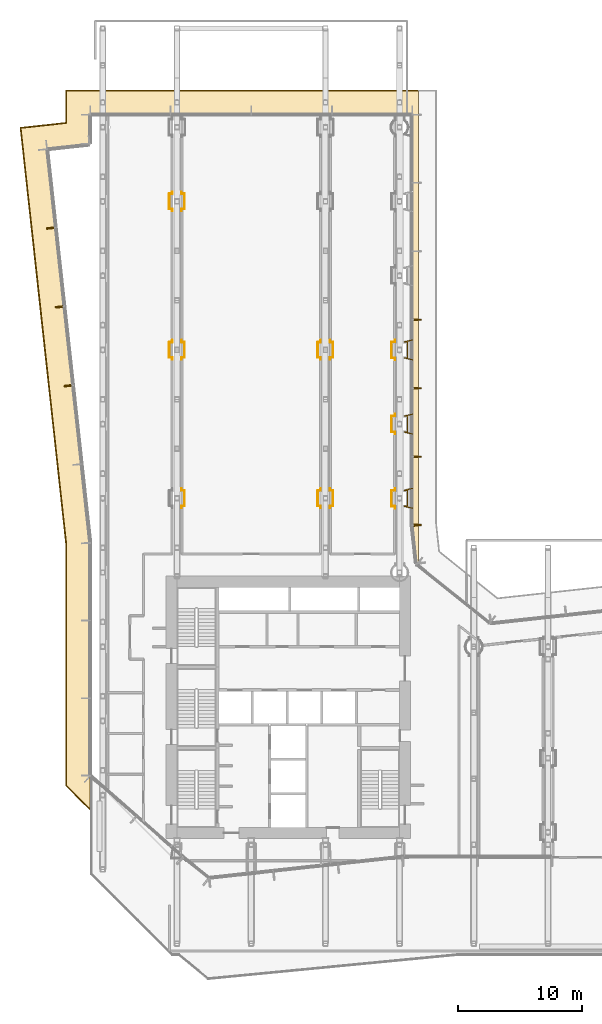
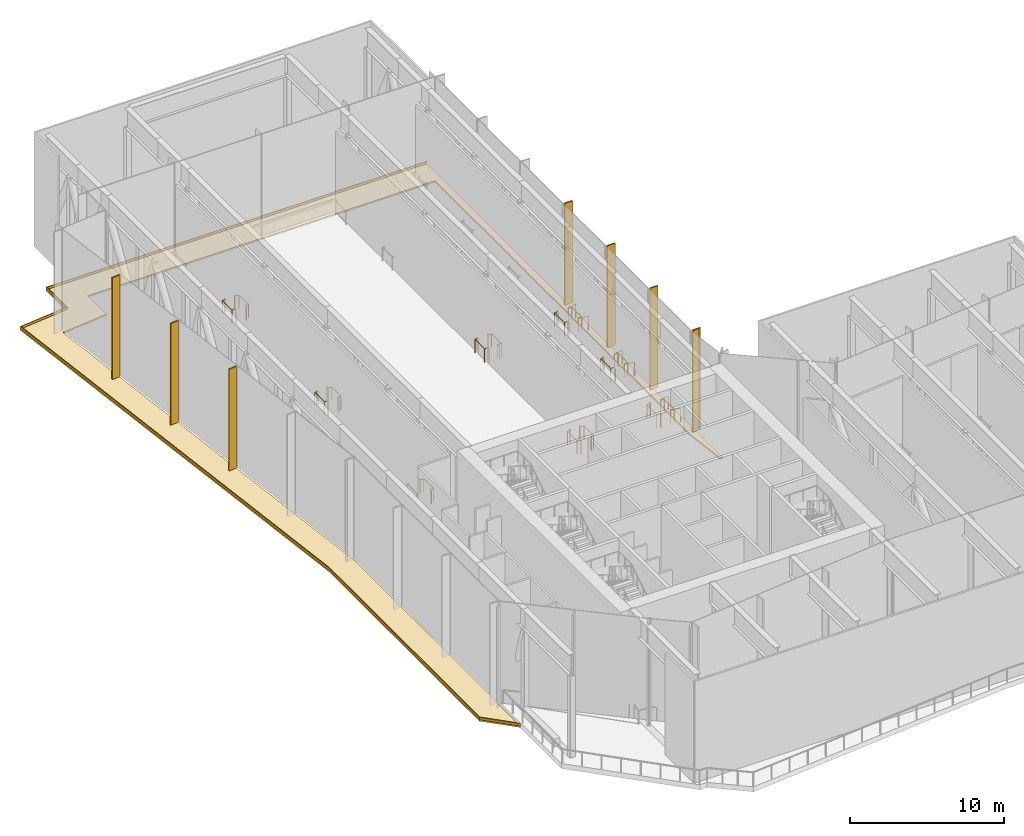
# One storey, part 23 of 25: 15 railings, 10 coverings.
"""IFC4 building model written with IfcOpenShell, lengths in metres."""

from ifc_helpers import new_model, si_unit, direction, frame, origin, origin_2d, place, context, subcontext, project, spatial, polyline, rectangle, circle, outline, extrude, material, layer, layer_set, type_object, element, save


model = new_model("IFC4")

# Units and contexts
model_context = context("Model", 3, precision=1e-05, world=origin(), true_north=direction((0.0, 1.0)))
body_context = subcontext(model_context, "Body", "Model", "MODEL_VIEW")
ifc_project = project(units=[si_unit("LENGTHUNIT", "METRE"), si_unit("AREAUNIT", "SQUARE_METRE"), si_unit("VOLUMEUNIT", "CUBIC_METRE"), si_unit("PLANEANGLEUNIT", "RADIAN"), si_unit("MASSUNIT", "GRAM", prefix="KILO")], contexts=[model_context])

# Site, building, storey
site_placement = place(None, origin())
site = spatial("IfcSite", under=ifc_project, at=site_placement, CompositionType="ELEMENT")
building_placement = place(site_placement, origin())
building = spatial("IfcBuilding", under=site, at=building_placement, Name="Welwitschia Terrace Campus", CompositionType="ELEMENT")
storey_placement = place(building_placement, frame((0.0, 0.0, 79.39990234375)))
storey = spatial("IfcBuildingStorey", under=building, at=storey_placement, Name="L18", CompositionType="ELEMENT", Elevation=79.39990234375)

# Coverings
ifc_material_1 = material(Name="Bronze anodised aluminium", Category="aluminium")
ifc_layer_1 = layer(ifc_material_1, 0.10009765625)
ifc_layer_set_1 = layer_set([ifc_layer_1], Name="Bronze anodised aluminium")
covering_type_1 = type_object("IfcCoveringType", Name="Bronze fin 100x600", PredefinedType="USERDEFINED", material=ifc_layer_set_1)
for number, where, z_axis, x_axis, name in (
    (1, (-4.21923828125, 53.843994140625, 0.0), (0.0, 0.0, 1.0), (0.108866874852, -0.994056338222, 0.0), "Fin L18.3.1"),
    (2, (-3.521484375, 47.4716796875, 0.0), (0.0, 0.0, 1.0), (0.108866874852, -0.994056338222, 0.0), "Fin L18.3.2"),
    (3, (-2.823486328125, 41.099365234375, 0.0), (0.0, 0.0, 1.0), (0.108866874852, -0.994056338222, 0.0), "Fin L18.3.3"),
    (4, (25.430908203125, 29.83251953125, 0.0), (0.0, 0.0, 1.0), (-0.108866874852, 0.994056338222, 0.0), "Fin L18.14.1"),
    (5, (25.429931640625, 29.85107421875, 0.0), (0.0, 0.0, 1.0), (0.0, 1.0, 0.0), "Fin L18.15.0"),
    (6, (25.429931640625, 35.359130859375, 0.0), (0.0, 0.0, 1.0), (0.0, 1.0, 0.0), "Fin L18.15.1"),
    (7, (25.429931640625, 40.897216796875, 0.0), (0.0, 0.0, 1.0), (0.0, 1.0, 0.0), "Fin L18.15.2"),
    (8, (25.429931640625, 46.435546875, 0.0), (0.0, 0.0, 1.0), (0.0, 1.0, 0.0), "Fin L18.15.3"),
):
    element("IfcCovering", number, at=place(storey_placement, frame(where, z_axis=z_axis, x_axis=x_axis)), inside=storey, type_object=covering_type_1, Name=name, ObjectType="FIN", PredefinedType="USERDEFINED", context=body_context, shape_type="SweptSolid", body=[
        extrude(rectangle(XDim=0.10009765625, YDim=0.60009765625, at=origin_2d()), origin(), (0.0, 0.0, 1.0), 8.050048828125),
    ])

# Railings
ifc_material_2 = material(Name="Stainless steel grade 316", Category="steel")
railing_type = type_object("IfcRailingType", Name="Guard 1100", PredefinedType="GUARDRAIL", material=ifc_material_2)
railing_1_placement = place(storey_placement, frame((23.6201171875, 32.804931640625, 0.0)))
element("IfcRailing", 9, at=railing_1_placement, inside=storey, type_object=railing_type, Name="Guard floor edge L18.22", PredefinedType="GUARDRAIL", context=body_context, shape_type="SweptSolid", body=[
    extrude(circle(Radius=0.02392578125, at=origin_2d()), frame((0.0, 0.0, 1.076171875), z_axis=(0.0, -1.0, 0.0), x_axis=(1.0, 0.0, 0.0)), (0.0, 0.0, 1.0), 0.159912109375),
    extrude(circle(Radius=0.02392578125, at=origin_2d()), frame((0.0, -0.159912109375, 1.076171875), z_axis=(-1.0, 0.0, 0.0), x_axis=(0.0, -1.0, 0.0)), (0.0, 0.0, 1.0), 0.26513671875),
    extrude(circle(Radius=0.02392578125, at=origin_2d()), frame((-0.26513671875, -0.159912109375, 1.076171875), z_axis=(0.0, -1.0, 0.0), x_axis=(1.0, 0.0, 0.0)), (0.0, 0.0, 1.0), 1.2900390625),
    extrude(circle(Radius=0.02392578125, at=origin_2d()), frame((-0.26513671875, -1.449951171875, 1.076171875), z_axis=(1.0, 0.0, 0.0), x_axis=(0.0, 1.0, 0.0)), (0.0, 0.0, 1.0), 0.26513671875),
    extrude(circle(Radius=0.02392578125, at=origin_2d()), frame((0.0, -1.449951171875, 1.076171875), z_axis=(0.0, -1.0, 0.0), x_axis=(1.0, 0.0, 0.0)), (0.0, 0.0, 1.0), 0.159912109375),
    extrude(circle(Radius=0.02099609375, at=origin_2d()), origin(), (0.0, 0.0, 1.0), 1.052001953125),
    extrude(circle(Radius=0.02099609375, at=origin_2d()), frame((0.0, -0.159912109375, 0.0)), (0.0, 0.0, 1.0), 1.052001953125),
    extrude(circle(Radius=0.02099609375, at=origin_2d()), frame((-0.26513671875, -0.159912109375, 0.0)), (0.0, 0.0, 1.0), 1.052001953125),
    extrude(circle(Radius=0.02099609375, at=origin_2d()), frame((-0.26513671875, -1.449951171875, 0.0)), (0.0, 0.0, 1.0), 1.052001953125),
    extrude(circle(Radius=0.02099609375, at=origin_2d()), frame((0.0, -1.449951171875, 0.0)), (0.0, 0.0, 1.0), 1.052001953125),
    extrude(circle(Radius=0.02099609375, at=origin_2d()), frame((0.0, -1.60986328125, 0.0)), (0.0, 0.0, 1.0), 1.052001953125),
])
railing_2_placement = place(storey_placement, frame((25.050048828125, 31.195068359375, 0.0)))
element("IfcRailing", 10, at=railing_2_placement, inside=storey, type_object=railing_type, Name="Guard floor edge L18.23", PredefinedType="GUARDRAIL", context=body_context, shape_type="SweptSolid", body=[
    extrude(circle(Radius=0.02392578125, at=origin_2d()), frame((0.0, 0.0, 1.076171875), z_axis=(-0.97269203542, 0.232099556721, 0.0), x_axis=(-0.232099556721, -0.97269203542, 0.0)), (0.0, 0.0, 1.0), 0.68896484375),
    extrude(circle(Radius=0.02392578125, at=origin_2d()), frame((-0.670166015625, 0.159912109375, 1.076171875), z_axis=(1.0, 0.0, 0.0), x_axis=(0.0, 1.0, 0.0)), (0.0, 0.0, 1.0), 0.26513671875),
    extrude(circle(Radius=0.02392578125, at=origin_2d()), frame((-0.405029296875, 0.159912109375, 1.076171875), z_axis=(0.0, 1.0, 0.0), x_axis=(-1.0, 0.0, 0.0)), (0.0, 0.0, 1.0), 1.2900390625),
    extrude(circle(Radius=0.02392578125, at=origin_2d()), frame((-0.405029296875, 1.449951171875, 1.076171875), z_axis=(-1.0, 0.0, 0.0), x_axis=(0.0, -1.0, 0.0)), (0.0, 0.0, 1.0), 0.26513671875),
    extrude(circle(Radius=0.02392578125, at=origin_2d()), frame((-0.670166015625, 1.449951171875, 1.076171875), z_axis=(0.97269203542, 0.232099556721, 0.0), x_axis=(-0.232099556721, 0.97269203542, 0.0)), (0.0, 0.0, 1.0), 0.68896484375),
    extrude(circle(Radius=0.02099609375, at=origin_2d()), origin(), (0.0, 0.0, 1.0), 1.052001953125),
    extrude(circle(Radius=0.02099609375, at=origin_2d()), frame((-0.670166015625, 0.159912109375, 0.0)), (0.0, 0.0, 1.0), 1.052001953125),
    extrude(circle(Radius=0.02099609375, at=origin_2d()), frame((-0.405029296875, 0.159912109375, 0.0)), (0.0, 0.0, 1.0), 1.052001953125),
    extrude(circle(Radius=0.02099609375, at=origin_2d()), frame((-0.405029296875, 1.449951171875, 0.0)), (0.0, 0.0, 1.0), 1.052001953125),
    extrude(circle(Radius=0.02099609375, at=origin_2d()), frame((-0.670166015625, 1.449951171875, 0.0)), (0.0, 0.0, 1.0), 1.052001953125),
    extrude(circle(Radius=0.02099609375, at=origin_2d()), frame((0.0, 1.60986328125, 0.0)), (0.0, 0.0, 1.0), 1.052001953125),
])
railing_3_placement = place(storey_placement, frame((23.6201171875, 38.804931640625, 0.0)))
element("IfcRailing", 11, at=railing_3_placement, inside=storey, type_object=railing_type, Name="Guard floor edge L18.24", PredefinedType="GUARDRAIL", context=body_context, shape_type="SweptSolid", body=[
    extrude(circle(Radius=0.02392578125, at=origin_2d()), frame((0.0, 0.0, 1.076171875), z_axis=(0.0, -1.0, 0.0), x_axis=(1.0, 0.0, 0.0)), (0.0, 0.0, 1.0), 0.159912109375),
    extrude(circle(Radius=0.02392578125, at=origin_2d()), frame((0.0, -0.159912109375, 1.076171875), z_axis=(-1.0, 0.0, 0.0), x_axis=(0.0, -1.0, 0.0)), (0.0, 0.0, 1.0), 0.26513671875),
    extrude(circle(Radius=0.02392578125, at=origin_2d()), frame((-0.26513671875, -0.159912109375, 1.076171875), z_axis=(0.0, -1.0, 0.0), x_axis=(1.0, 0.0, 0.0)), (0.0, 0.0, 1.0), 1.2900390625),
    extrude(circle(Radius=0.02392578125, at=origin_2d()), frame((-0.26513671875, -1.449951171875, 1.076171875), z_axis=(1.0, 0.0, 0.0), x_axis=(0.0, 1.0, 0.0)), (0.0, 0.0, 1.0), 0.26513671875),
    extrude(circle(Radius=0.02392578125, at=origin_2d()), frame((0.0, -1.449951171875, 1.076171875), z_axis=(0.0, -1.0, 0.0), x_axis=(1.0, 0.0, 0.0)), (0.0, 0.0, 1.0), 0.159912109375),
    extrude(circle(Radius=0.02099609375, at=origin_2d()), origin(), (0.0, 0.0, 1.0), 1.052001953125),
    extrude(circle(Radius=0.02099609375, at=origin_2d()), frame((0.0, -0.159912109375, 0.0)), (0.0, 0.0, 1.0), 1.052001953125),
    extrude(circle(Radius=0.02099609375, at=origin_2d()), frame((-0.26513671875, -0.159912109375, 0.0)), (0.0, 0.0, 1.0), 1.052001953125),
    extrude(circle(Radius=0.02099609375, at=origin_2d()), frame((-0.26513671875, -1.449951171875, 0.0)), (0.0, 0.0, 1.0), 1.052001953125),
    extrude(circle(Radius=0.02099609375, at=origin_2d()), frame((0.0, -1.449951171875, 0.0)), (0.0, 0.0, 1.0), 1.052001953125),
    extrude(circle(Radius=0.02099609375, at=origin_2d()), frame((0.0, -1.60986328125, 0.0)), (0.0, 0.0, 1.0), 1.052001953125),
])
railing_4_placement = place(storey_placement, frame((25.050048828125, 37.195068359375, 0.0)))
element("IfcRailing", 12, at=railing_4_placement, inside=storey, type_object=railing_type, Name="Guard floor edge L18.25", PredefinedType="GUARDRAIL", context=body_context, shape_type="SweptSolid", body=[
    extrude(circle(Radius=0.02392578125, at=origin_2d()), frame((0.0, 0.0, 1.076171875), z_axis=(-0.97269203542, 0.232099556721, 0.0), x_axis=(-0.232099556721, -0.97269203542, 0.0)), (0.0, 0.0, 1.0), 0.68896484375),
    extrude(circle(Radius=0.02392578125, at=origin_2d()), frame((-0.670166015625, 0.159912109375, 1.076171875), z_axis=(1.0, 0.0, 0.0), x_axis=(0.0, 1.0, 0.0)), (0.0, 0.0, 1.0), 0.26513671875),
    extrude(circle(Radius=0.02392578125, at=origin_2d()), frame((-0.405029296875, 0.159912109375, 1.076171875), z_axis=(0.0, 1.0, 0.0), x_axis=(-1.0, 0.0, 0.0)), (0.0, 0.0, 1.0), 1.2900390625),
    extrude(circle(Radius=0.02392578125, at=origin_2d()), frame((-0.405029296875, 1.449951171875, 1.076171875), z_axis=(-1.0, 0.0, 0.0), x_axis=(0.0, -1.0, 0.0)), (0.0, 0.0, 1.0), 0.26513671875),
    extrude(circle(Radius=0.02392578125, at=origin_2d()), frame((-0.670166015625, 1.449951171875, 1.076171875), z_axis=(0.97269203542, 0.232099556721, 0.0), x_axis=(-0.232099556721, 0.97269203542, 0.0)), (0.0, 0.0, 1.0), 0.68896484375),
    extrude(circle(Radius=0.02099609375, at=origin_2d()), origin(), (0.0, 0.0, 1.0), 1.052001953125),
    extrude(circle(Radius=0.02099609375, at=origin_2d()), frame((-0.670166015625, 0.159912109375, 0.0)), (0.0, 0.0, 1.0), 1.052001953125),
    extrude(circle(Radius=0.02099609375, at=origin_2d()), frame((-0.405029296875, 0.159912109375, 0.0)), (0.0, 0.0, 1.0), 1.052001953125),
    extrude(circle(Radius=0.02099609375, at=origin_2d()), frame((-0.405029296875, 1.449951171875, 0.0)), (0.0, 0.0, 1.0), 1.052001953125),
    extrude(circle(Radius=0.02099609375, at=origin_2d()), frame((-0.670166015625, 1.449951171875, 0.0)), (0.0, 0.0, 1.0), 1.052001953125),
    extrude(circle(Radius=0.02099609375, at=origin_2d()), frame((0.0, 1.60986328125, 0.0)), (0.0, 0.0, 1.0), 1.052001953125),
])
railing_5_placement = place(storey_placement, frame((23.6201171875, 44.804931640625, 0.0)))
element("IfcRailing", 13, at=railing_5_placement, inside=storey, type_object=railing_type, Name="Guard floor edge L18.26", PredefinedType="GUARDRAIL", context=body_context, shape_type="SweptSolid", body=[
    extrude(circle(Radius=0.02392578125, at=origin_2d()), frame((0.0, 0.0, 1.076171875), z_axis=(0.0, -1.0, 0.0), x_axis=(1.0, 0.0, 0.0)), (0.0, 0.0, 1.0), 0.159912109375),
    extrude(circle(Radius=0.02392578125, at=origin_2d()), frame((0.0, -0.159912109375, 1.076171875), z_axis=(-1.0, 0.0, 0.0), x_axis=(0.0, -1.0, 0.0)), (0.0, 0.0, 1.0), 0.26513671875),
    extrude(circle(Radius=0.02392578125, at=origin_2d()), frame((-0.26513671875, -0.159912109375, 1.076171875), z_axis=(0.0, -1.0, 0.0), x_axis=(1.0, 0.0, 0.0)), (0.0, 0.0, 1.0), 1.2900390625),
    extrude(circle(Radius=0.02392578125, at=origin_2d()), frame((-0.26513671875, -1.449951171875, 1.076171875), z_axis=(1.0, 0.0, 0.0), x_axis=(0.0, 1.0, 0.0)), (0.0, 0.0, 1.0), 0.26513671875),
    extrude(circle(Radius=0.02392578125, at=origin_2d()), frame((0.0, -1.449951171875, 1.076171875), z_axis=(0.0, -1.0, 0.0), x_axis=(1.0, 0.0, 0.0)), (0.0, 0.0, 1.0), 0.159912109375),
    extrude(circle(Radius=0.02099609375, at=origin_2d()), origin(), (0.0, 0.0, 1.0), 1.052001953125),
    extrude(circle(Radius=0.02099609375, at=origin_2d()), frame((0.0, -0.159912109375, 0.0)), (0.0, 0.0, 1.0), 1.052001953125),
    extrude(circle(Radius=0.02099609375, at=origin_2d()), frame((-0.26513671875, -0.159912109375, 0.0)), (0.0, 0.0, 1.0), 1.052001953125),
    extrude(circle(Radius=0.02099609375, at=origin_2d()), frame((-0.26513671875, -1.449951171875, 0.0)), (0.0, 0.0, 1.0), 1.052001953125),
    extrude(circle(Radius=0.02099609375, at=origin_2d()), frame((0.0, -1.449951171875, 0.0)), (0.0, 0.0, 1.0), 1.052001953125),
    extrude(circle(Radius=0.02099609375, at=origin_2d()), frame((0.0, -1.60986328125, 0.0)), (0.0, 0.0, 1.0), 1.052001953125),
])
railing_6_placement = place(storey_placement, frame((25.050048828125, 43.195068359375, 0.0)))
element("IfcRailing", 14, at=railing_6_placement, inside=storey, type_object=railing_type, Name="Guard floor edge L18.27", PredefinedType="GUARDRAIL", context=body_context, shape_type="SweptSolid", body=[
    extrude(circle(Radius=0.02392578125, at=origin_2d()), frame((0.0, 0.0, 1.076171875), z_axis=(-0.97269203542, 0.232099556721, 0.0), x_axis=(-0.232099556721, -0.97269203542, 0.0)), (0.0, 0.0, 1.0), 0.68896484375),
    extrude(circle(Radius=0.02392578125, at=origin_2d()), frame((-0.670166015625, 0.159912109375, 1.076171875), z_axis=(1.0, 0.0, 0.0), x_axis=(0.0, 1.0, 0.0)), (0.0, 0.0, 1.0), 0.26513671875),
    extrude(circle(Radius=0.02392578125, at=origin_2d()), frame((-0.405029296875, 0.159912109375, 1.076171875), z_axis=(0.0, 1.0, 0.0), x_axis=(-1.0, 0.0, 0.0)), (0.0, 0.0, 1.0), 1.2900390625),
    extrude(circle(Radius=0.02392578125, at=origin_2d()), frame((-0.405029296875, 1.449951171875, 1.076171875), z_axis=(-1.0, 0.0, 0.0), x_axis=(0.0, -1.0, 0.0)), (0.0, 0.0, 1.0), 0.26513671875),
    extrude(circle(Radius=0.02392578125, at=origin_2d()), frame((-0.670166015625, 1.449951171875, 1.076171875), z_axis=(0.97269203542, 0.232099556721, 0.0), x_axis=(-0.232099556721, 0.97269203542, 0.0)), (0.0, 0.0, 1.0), 0.68896484375),
    extrude(circle(Radius=0.02099609375, at=origin_2d()), origin(), (0.0, 0.0, 1.0), 1.052001953125),
    extrude(circle(Radius=0.02099609375, at=origin_2d()), frame((-0.670166015625, 0.159912109375, 0.0)), (0.0, 0.0, 1.0), 1.052001953125),
    extrude(circle(Radius=0.02099609375, at=origin_2d()), frame((-0.405029296875, 0.159912109375, 0.0)), (0.0, 0.0, 1.0), 1.052001953125),
    extrude(circle(Radius=0.02099609375, at=origin_2d()), frame((-0.405029296875, 1.449951171875, 0.0)), (0.0, 0.0, 1.0), 1.052001953125),
    extrude(circle(Radius=0.02099609375, at=origin_2d()), frame((-0.670166015625, 1.449951171875, 0.0)), (0.0, 0.0, 1.0), 1.052001953125),
    extrude(circle(Radius=0.02099609375, at=origin_2d()), frame((0.0, 1.60986328125, 0.0)), (0.0, 0.0, 1.0), 1.052001953125),
])
railing_7_placement = place(storey_placement, frame((17.6201171875, 32.780029296875, 0.0)))
element("IfcRailing", 15, at=railing_7_placement, inside=storey, type_object=railing_type, Name="Guard floor edge L18.35", PredefinedType="GUARDRAIL", context=body_context, shape_type="SweptSolid", body=[
    extrude(circle(Radius=0.02392578125, at=origin_2d()), frame((0.0, 0.0, 1.076171875), z_axis=(0.0, -1.0, 0.0), x_axis=(1.0, 0.0, 0.0)), (0.0, 0.0, 1.0), 0.159912109375),
    extrude(circle(Radius=0.02392578125, at=origin_2d()), frame((0.0, -0.159912109375, 1.076171875), z_axis=(-1.0, 0.0, 0.0), x_axis=(0.0, -1.0, 0.0)), (0.0, 0.0, 1.0), 0.240234375),
    extrude(circle(Radius=0.02392578125, at=origin_2d()), frame((-0.240234375, -0.159912109375, 1.076171875), z_axis=(0.0, -1.0, 0.0), x_axis=(1.0, 0.0, 0.0)), (0.0, 0.0, 1.0), 1.240234375),
    extrude(circle(Radius=0.02392578125, at=origin_2d()), frame((-0.240234375, -1.400146484375, 1.076171875), z_axis=(1.0, 0.0, 0.0), x_axis=(0.0, 1.0, 0.0)), (0.0, 0.0, 1.0), 0.240234375),
    extrude(circle(Radius=0.02392578125, at=origin_2d()), frame((0.0, -1.400146484375, 1.076171875), z_axis=(0.0, -1.0, 0.0), x_axis=(1.0, 0.0, 0.0)), (0.0, 0.0, 1.0), 0.159912109375),
    extrude(circle(Radius=0.02099609375, at=origin_2d()), origin(), (0.0, 0.0, 1.0), 1.052001953125),
    extrude(circle(Radius=0.02099609375, at=origin_2d()), frame((0.0, -0.159912109375, 0.0)), (0.0, 0.0, 1.0), 1.052001953125),
    extrude(circle(Radius=0.02099609375, at=origin_2d()), frame((-0.240234375, -0.159912109375, 0.0)), (0.0, 0.0, 1.0), 1.052001953125),
    extrude(circle(Radius=0.02099609375, at=origin_2d()), frame((-0.240234375, -1.400146484375, 0.0)), (0.0, 0.0, 1.0), 1.052001953125),
    extrude(circle(Radius=0.02099609375, at=origin_2d()), frame((0.0, -1.400146484375, 0.0)), (0.0, 0.0, 1.0), 1.052001953125),
    extrude(circle(Radius=0.02099609375, at=origin_2d()), frame((0.0, -1.56005859375, 0.0)), (0.0, 0.0, 1.0), 1.052001953125),
])
railing_8_placement = place(storey_placement, frame((18.3798828125, 31.219970703125, 0.0)))
element("IfcRailing", 16, at=railing_8_placement, inside=storey, type_object=railing_type, Name="Guard floor edge L18.36", PredefinedType="GUARDRAIL", context=body_context, shape_type="SweptSolid", body=[
    extrude(circle(Radius=0.02392578125, at=origin_2d()), frame((0.0, 0.0, 1.076171875), z_axis=(0.0, 1.0, 0.0), x_axis=(-1.0, 0.0, 0.0)), (0.0, 0.0, 1.0), 0.159912109375),
    extrude(circle(Radius=0.02392578125, at=origin_2d()), frame((0.0, 0.159912109375, 1.076171875), z_axis=(1.0, 0.0, 0.0), x_axis=(0.0, 1.0, 0.0)), (0.0, 0.0, 1.0), 0.240234375),
    extrude(circle(Radius=0.02392578125, at=origin_2d()), frame((0.240234375, 0.159912109375, 1.076171875), z_axis=(0.0, 1.0, 0.0), x_axis=(-1.0, 0.0, 0.0)), (0.0, 0.0, 1.0), 1.240234375),
    extrude(circle(Radius=0.02392578125, at=origin_2d()), frame((0.240234375, 1.400146484375, 1.076171875), z_axis=(-1.0, 0.0, 0.0), x_axis=(0.0, -1.0, 0.0)), (0.0, 0.0, 1.0), 0.240234375),
    extrude(circle(Radius=0.02392578125, at=origin_2d()), frame((0.0, 1.400146484375, 1.076171875), z_axis=(0.0, 1.0, 0.0), x_axis=(-1.0, 0.0, 0.0)), (0.0, 0.0, 1.0), 0.159912109375),
    extrude(circle(Radius=0.02099609375, at=origin_2d()), origin(), (0.0, 0.0, 1.0), 1.052001953125),
    extrude(circle(Radius=0.02099609375, at=origin_2d()), frame((0.0, 0.159912109375, 0.0)), (0.0, 0.0, 1.0), 1.052001953125),
    extrude(circle(Radius=0.02099609375, at=origin_2d()), frame((0.240234375, 0.159912109375, 0.0)), (0.0, 0.0, 1.0), 1.052001953125),
    extrude(circle(Radius=0.02099609375, at=origin_2d()), frame((0.240234375, 1.400146484375, 0.0)), (0.0, 0.0, 1.0), 1.052001953125),
    extrude(circle(Radius=0.02099609375, at=origin_2d()), frame((0.0, 1.400146484375, 0.0)), (0.0, 0.0, 1.0), 1.052001953125),
    extrude(circle(Radius=0.02099609375, at=origin_2d()), frame((0.0, 1.56005859375, 0.0)), (0.0, 0.0, 1.0), 1.052001953125),
])
railing_9_placement = place(storey_placement, frame((17.6201171875, 44.780029296875, 0.0)))
element("IfcRailing", 17, at=railing_9_placement, inside=storey, type_object=railing_type, Name="Guard floor edge L18.37", PredefinedType="GUARDRAIL", context=body_context, shape_type="SweptSolid", body=[
    extrude(circle(Radius=0.02392578125, at=origin_2d()), frame((0.0, 0.0, 1.076171875), z_axis=(0.0, -1.0, 0.0), x_axis=(1.0, 0.0, 0.0)), (0.0, 0.0, 1.0), 0.159912109375),
    extrude(circle(Radius=0.02392578125, at=origin_2d()), frame((0.0, -0.159912109375, 1.076171875), z_axis=(-1.0, 0.0, 0.0), x_axis=(0.0, -1.0, 0.0)), (0.0, 0.0, 1.0), 0.240234375),
    extrude(circle(Radius=0.02392578125, at=origin_2d()), frame((-0.240234375, -0.159912109375, 1.076171875), z_axis=(0.0, -1.0, 0.0), x_axis=(1.0, 0.0, 0.0)), (0.0, 0.0, 1.0), 1.240234375),
    extrude(circle(Radius=0.02392578125, at=origin_2d()), frame((-0.240234375, -1.400146484375, 1.076171875), z_axis=(1.0, 0.0, 0.0), x_axis=(0.0, 1.0, 0.0)), (0.0, 0.0, 1.0), 0.240234375),
    extrude(circle(Radius=0.02392578125, at=origin_2d()), frame((0.0, -1.400146484375, 1.076171875), z_axis=(0.0, -1.0, 0.0), x_axis=(1.0, 0.0, 0.0)), (0.0, 0.0, 1.0), 0.159912109375),
    extrude(circle(Radius=0.02099609375, at=origin_2d()), origin(), (0.0, 0.0, 1.0), 1.052001953125),
    extrude(circle(Radius=0.02099609375, at=origin_2d()), frame((0.0, -0.159912109375, 0.0)), (0.0, 0.0, 1.0), 1.052001953125),
    extrude(circle(Radius=0.02099609375, at=origin_2d()), frame((-0.240234375, -0.159912109375, 0.0)), (0.0, 0.0, 1.0), 1.052001953125),
    extrude(circle(Radius=0.02099609375, at=origin_2d()), frame((-0.240234375, -1.400146484375, 0.0)), (0.0, 0.0, 1.0), 1.052001953125),
    extrude(circle(Radius=0.02099609375, at=origin_2d()), frame((0.0, -1.400146484375, 0.0)), (0.0, 0.0, 1.0), 1.052001953125),
    extrude(circle(Radius=0.02099609375, at=origin_2d()), frame((0.0, -1.56005859375, 0.0)), (0.0, 0.0, 1.0), 1.052001953125),
])
for number, where, name in (
    (18, (18.3798828125, 43.219970703125, 0.0), "Guard floor edge L18.38"),
    (19, (6.3798828125, 31.219970703125, 0.0), "Guard floor edge L18.46"),
):
    element("IfcRailing", number, at=place(storey_placement, frame(where)), inside=storey, type_object=railing_type, Name=name, PredefinedType="GUARDRAIL", context=body_context, shape_type="SweptSolid", body=[
        extrude(circle(Radius=0.02392578125, at=origin_2d()), frame((0.0, 0.0, 1.076171875), z_axis=(0.0, 1.0, 0.0), x_axis=(-1.0, 0.0, 0.0)), (0.0, 0.0, 1.0), 0.159912109375),
        extrude(circle(Radius=0.02392578125, at=origin_2d()), frame((0.0, 0.159912109375, 1.076171875), z_axis=(1.0, 0.0, 0.0), x_axis=(0.0, 1.0, 0.0)), (0.0, 0.0, 1.0), 0.240234375),
        extrude(circle(Radius=0.02392578125, at=origin_2d()), frame((0.240234375, 0.159912109375, 1.076171875), z_axis=(0.0, 1.0, 0.0), x_axis=(-1.0, 0.0, 0.0)), (0.0, 0.0, 1.0), 1.240234375),
        extrude(circle(Radius=0.02392578125, at=origin_2d()), frame((0.240234375, 1.400146484375, 1.076171875), z_axis=(-1.0, 0.0, 0.0), x_axis=(0.0, -1.0, 0.0)), (0.0, 0.0, 1.0), 0.240234375),
        extrude(circle(Radius=0.02392578125, at=origin_2d()), frame((0.0, 1.400146484375, 1.076171875), z_axis=(0.0, 1.0, 0.0), x_axis=(-1.0, 0.0, 0.0)), (0.0, 0.0, 1.0), 0.159912109375),
        extrude(circle(Radius=0.02099609375, at=origin_2d()), origin(), (0.0, 0.0, 1.0), 1.052001953125),
        extrude(circle(Radius=0.02099609375, at=origin_2d()), frame((0.0, 0.159912109375, 0.0)), (0.0, 0.0, 1.0), 1.052001953125),
        extrude(circle(Radius=0.02099609375, at=origin_2d()), frame((0.240234375, 0.159912109375, 0.0)), (0.0, 0.0, 1.0), 1.052001953125),
        extrude(circle(Radius=0.02099609375, at=origin_2d()), frame((0.240234375, 1.400146484375, 0.0)), (0.0, 0.0, 1.0), 1.052001953125),
        extrude(circle(Radius=0.02099609375, at=origin_2d()), frame((0.0, 1.400146484375, 0.0)), (0.0, 0.0, 1.0), 1.052001953125),
        extrude(circle(Radius=0.02099609375, at=origin_2d()), frame((0.0, 1.56005859375, 0.0)), (0.0, 0.0, 1.0), 1.052001953125),
    ])
railing_10_placement = place(storey_placement, frame((5.6201171875, 44.780029296875, 0.0)))
element("IfcRailing", 20, at=railing_10_placement, inside=storey, type_object=railing_type, Name="Guard floor edge L18.47", PredefinedType="GUARDRAIL", context=body_context, shape_type="SweptSolid", body=[
    extrude(circle(Radius=0.02392578125, at=origin_2d()), frame((0.0, 0.0, 1.076171875), z_axis=(0.0, -1.0, 0.0), x_axis=(1.0, 0.0, 0.0)), (0.0, 0.0, 1.0), 0.159912109375),
    extrude(circle(Radius=0.02392578125, at=origin_2d()), frame((0.0, -0.159912109375, 1.076171875), z_axis=(-1.0, 0.0, 0.0), x_axis=(0.0, -1.0, 0.0)), (0.0, 0.0, 1.0), 0.240234375),
    extrude(circle(Radius=0.02392578125, at=origin_2d()), frame((-0.240234375, -0.159912109375, 1.076171875), z_axis=(0.0, -1.0, 0.0), x_axis=(1.0, 0.0, 0.0)), (0.0, 0.0, 1.0), 1.240234375),
    extrude(circle(Radius=0.02392578125, at=origin_2d()), frame((-0.240234375, -1.400146484375, 1.076171875), z_axis=(1.0, 0.0, 0.0), x_axis=(0.0, 1.0, 0.0)), (0.0, 0.0, 1.0), 0.240234375),
    extrude(circle(Radius=0.02392578125, at=origin_2d()), frame((0.0, -1.400146484375, 1.076171875), z_axis=(0.0, -1.0, 0.0), x_axis=(1.0, 0.0, 0.0)), (0.0, 0.0, 1.0), 0.159912109375),
    extrude(circle(Radius=0.02099609375, at=origin_2d()), origin(), (0.0, 0.0, 1.0), 1.052001953125),
    extrude(circle(Radius=0.02099609375, at=origin_2d()), frame((0.0, -0.159912109375, 0.0)), (0.0, 0.0, 1.0), 1.052001953125),
    extrude(circle(Radius=0.02099609375, at=origin_2d()), frame((-0.240234375, -0.159912109375, 0.0)), (0.0, 0.0, 1.0), 1.052001953125),
    extrude(circle(Radius=0.02099609375, at=origin_2d()), frame((-0.240234375, -1.400146484375, 0.0)), (0.0, 0.0, 1.0), 1.052001953125),
    extrude(circle(Radius=0.02099609375, at=origin_2d()), frame((0.0, -1.400146484375, 0.0)), (0.0, 0.0, 1.0), 1.052001953125),
    extrude(circle(Radius=0.02099609375, at=origin_2d()), frame((0.0, -1.56005859375, 0.0)), (0.0, 0.0, 1.0), 1.052001953125),
])
railing_11_placement = place(storey_placement, frame((6.3798828125, 43.219970703125, 0.0)))
element("IfcRailing", 21, at=railing_11_placement, inside=storey, type_object=railing_type, Name="Guard floor edge L18.48", PredefinedType="GUARDRAIL", context=body_context, shape_type="SweptSolid", body=[
    extrude(circle(Radius=0.02392578125, at=origin_2d()), frame((0.0, 0.0, 1.076171875), z_axis=(0.0, 1.0, 0.0), x_axis=(-1.0, 0.0, 0.0)), (0.0, 0.0, 1.0), 0.159912109375),
    extrude(circle(Radius=0.02392578125, at=origin_2d()), frame((0.0, 0.159912109375, 1.076171875), z_axis=(1.0, 0.0, 0.0), x_axis=(0.0, 1.0, 0.0)), (0.0, 0.0, 1.0), 0.240234375),
    extrude(circle(Radius=0.02392578125, at=origin_2d()), frame((0.240234375, 0.159912109375, 1.076171875), z_axis=(0.0, 1.0, 0.0), x_axis=(-1.0, 0.0, 0.0)), (0.0, 0.0, 1.0), 1.240234375),
    extrude(circle(Radius=0.02392578125, at=origin_2d()), frame((0.240234375, 1.400146484375, 1.076171875), z_axis=(-1.0, 0.0, 0.0), x_axis=(0.0, -1.0, 0.0)), (0.0, 0.0, 1.0), 0.240234375),
    extrude(circle(Radius=0.02392578125, at=origin_2d()), frame((0.0, 1.400146484375, 1.076171875), z_axis=(0.0, 1.0, 0.0), x_axis=(-1.0, 0.0, 0.0)), (0.0, 0.0, 1.0), 0.159912109375),
    extrude(circle(Radius=0.02099609375, at=origin_2d()), origin(), (0.0, 0.0, 1.0), 1.052001953125),
    extrude(circle(Radius=0.02099609375, at=origin_2d()), frame((0.0, 0.159912109375, 0.0)), (0.0, 0.0, 1.0), 1.052001953125),
    extrude(circle(Radius=0.02099609375, at=origin_2d()), frame((0.240234375, 0.159912109375, 0.0)), (0.0, 0.0, 1.0), 1.052001953125),
    extrude(circle(Radius=0.02099609375, at=origin_2d()), frame((0.240234375, 1.400146484375, 0.0)), (0.0, 0.0, 1.0), 1.052001953125),
    extrude(circle(Radius=0.02099609375, at=origin_2d()), frame((0.0, 1.400146484375, 0.0)), (0.0, 0.0, 1.0), 1.052001953125),
    extrude(circle(Radius=0.02099609375, at=origin_2d()), frame((0.0, 1.56005859375, 0.0)), (0.0, 0.0, 1.0), 1.052001953125),
])
railing_12_placement = place(storey_placement, frame((5.6201171875, 56.780029296875, 0.0)))
element("IfcRailing", 22, at=railing_12_placement, inside=storey, type_object=railing_type, Name="Guard floor edge L18.49", PredefinedType="GUARDRAIL", context=body_context, shape_type="SweptSolid", body=[
    extrude(circle(Radius=0.02392578125, at=origin_2d()), frame((0.0, 0.0, 1.076171875), z_axis=(0.0, -1.0, 0.0), x_axis=(1.0, 0.0, 0.0)), (0.0, 0.0, 1.0), 0.159912109375),
    extrude(circle(Radius=0.02392578125, at=origin_2d()), frame((0.0, -0.159912109375, 1.076171875), z_axis=(-1.0, 0.0, 0.0), x_axis=(0.0, -1.0, 0.0)), (0.0, 0.0, 1.0), 0.240234375),
    extrude(circle(Radius=0.02392578125, at=origin_2d()), frame((-0.240234375, -0.159912109375, 1.076171875), z_axis=(0.0, -1.0, 0.0), x_axis=(1.0, 0.0, 0.0)), (0.0, 0.0, 1.0), 1.240234375),
    extrude(circle(Radius=0.02392578125, at=origin_2d()), frame((-0.240234375, -1.400146484375, 1.076171875), z_axis=(1.0, 0.0, 0.0), x_axis=(0.0, 1.0, 0.0)), (0.0, 0.0, 1.0), 0.240234375),
    extrude(circle(Radius=0.02392578125, at=origin_2d()), frame((0.0, -1.400146484375, 1.076171875), z_axis=(0.0, -1.0, 0.0), x_axis=(1.0, 0.0, 0.0)), (0.0, 0.0, 1.0), 0.159912109375),
    extrude(circle(Radius=0.02099609375, at=origin_2d()), origin(), (0.0, 0.0, 1.0), 1.052001953125),
    extrude(circle(Radius=0.02099609375, at=origin_2d()), frame((0.0, -0.159912109375, 0.0)), (0.0, 0.0, 1.0), 1.052001953125),
    extrude(circle(Radius=0.02099609375, at=origin_2d()), frame((-0.240234375, -0.159912109375, 0.0)), (0.0, 0.0, 1.0), 1.052001953125),
    extrude(circle(Radius=0.02099609375, at=origin_2d()), frame((-0.240234375, -1.400146484375, 0.0)), (0.0, 0.0, 1.0), 1.052001953125),
    extrude(circle(Radius=0.02099609375, at=origin_2d()), frame((0.0, -1.400146484375, 0.0)), (0.0, 0.0, 1.0), 1.052001953125),
    extrude(circle(Radius=0.02099609375, at=origin_2d()), frame((0.0, -1.56005859375, 0.0)), (0.0, 0.0, 1.0), 1.052001953125),
])
railing_13_placement = place(storey_placement, frame((6.3798828125, 55.219970703125, 0.0)))
element("IfcRailing", 23, at=railing_13_placement, inside=storey, type_object=railing_type, Name="Guard floor edge L18.50", PredefinedType="GUARDRAIL", context=body_context, shape_type="SweptSolid", body=[
    extrude(circle(Radius=0.02392578125, at=origin_2d()), frame((0.0, 0.0, 1.076171875), z_axis=(0.0, 1.0, 0.0), x_axis=(-1.0, 0.0, 0.0)), (0.0, 0.0, 1.0), 0.159912109375),
    extrude(circle(Radius=0.02392578125, at=origin_2d()), frame((0.0, 0.159912109375, 1.076171875), z_axis=(1.0, 0.0, 0.0), x_axis=(0.0, 1.0, 0.0)), (0.0, 0.0, 1.0), 0.240234375),
    extrude(circle(Radius=0.02392578125, at=origin_2d()), frame((0.240234375, 0.159912109375, 1.076171875), z_axis=(0.0, 1.0, 0.0), x_axis=(-1.0, 0.0, 0.0)), (0.0, 0.0, 1.0), 1.240234375),
    extrude(circle(Radius=0.02392578125, at=origin_2d()), frame((0.240234375, 1.400146484375, 1.076171875), z_axis=(-1.0, 0.0, 0.0), x_axis=(0.0, -1.0, 0.0)), (0.0, 0.0, 1.0), 0.240234375),
    extrude(circle(Radius=0.02392578125, at=origin_2d()), frame((0.0, 1.400146484375, 1.076171875), z_axis=(0.0, 1.0, 0.0), x_axis=(-1.0, 0.0, 0.0)), (0.0, 0.0, 1.0), 0.159912109375),
    extrude(circle(Radius=0.02099609375, at=origin_2d()), origin(), (0.0, 0.0, 1.0), 1.052001953125),
    extrude(circle(Radius=0.02099609375, at=origin_2d()), frame((0.0, 0.159912109375, 0.0)), (0.0, 0.0, 1.0), 1.052001953125),
    extrude(circle(Radius=0.02099609375, at=origin_2d()), frame((0.240234375, 0.159912109375, 0.0)), (0.0, 0.0, 1.0), 1.052001953125),
    extrude(circle(Radius=0.02099609375, at=origin_2d()), frame((0.240234375, 1.400146484375, 0.0)), (0.0, 0.0, 1.0), 1.052001953125),
    extrude(circle(Radius=0.02099609375, at=origin_2d()), frame((0.0, 1.400146484375, 0.0)), (0.0, 0.0, 1.0), 1.052001953125),
    extrude(circle(Radius=0.02099609375, at=origin_2d()), frame((0.0, 1.56005859375, 0.0)), (0.0, 0.0, 1.0), 1.052001953125),
])

# Coverings
ifc_material_3 = material(Name="Bronze anodised aluminium", Category="aluminium")
ifc_layer_2 = layer(ifc_material_3, 0.1201171875)
ifc_layer_set_2 = layer_set([ifc_layer_2], Name="Bronze anodised aluminium")
covering_type_2 = type_object("IfcCoveringType", Name="Sunshade band 2000", PredefinedType="USERDEFINED", material=ifc_layer_set_2)
covering_1_placement = place(storey_placement, frame((0.0, 0.0, -0.2998046875)))
element("IfcCovering", 24, at=covering_1_placement, inside=storey, type_object=covering_type_2, Name="SUNSHADE L18.SW0", ObjectType="SUNSHADE", PredefinedType="USERDEFINED", context=body_context, shape_type="SweptSolid", body=[
    extrude(outline(polyline([(25.34423828125, 26.675537109375), (25.0, 29.818359375), (25.0, 63.0), (-1.0, 63.0), (-1.0, 60.594970703125), (-4.484375, 60.21337890625), (-1.0, 28.398681640625), (-1.0, 9.656494140625), (-1.050048828125, 9.70654296875), (-1.050048828125, 6.807373046875), (-3.0, 8.75732421875), (-3.0, 28.28955078125), (-6.690185546875, 61.983642578125), (-3.0, 62.3876953125), (-3.0, 65.0), (25.515625, 65.0), (25.515625, 26.537841796875), (25.34423828125, 26.675537109375)])), origin(), (0.0, 0.0, 1.0), 0.119873046875),
])
ifc_material_4 = material(Name="Bronze anodised aluminium", Category="aluminium")
ifc_layer_3 = layer(ifc_material_4, 0.06005859375)
ifc_layer_set_3 = layer_set([ifc_layer_3], Name="Bronze anodised aluminium")
covering_type_3 = type_object("IfcCoveringType", Name="Sunshade lip 60", PredefinedType="USERDEFINED", material=ifc_layer_set_3)
covering_2_placement = place(storey_placement, frame((0.0, 0.0, -0.179931640625)))
element("IfcCovering", 25, at=covering_2_placement, inside=storey, type_object=covering_type_3, Name="SUNSHADE LIP L18.SW0.0", ObjectType="SUNSHADE", PredefinedType="USERDEFINED", context=body_context, shape_type="SweptSolid", body=[
    extrude(outline(polyline([(-1.050048828125, 6.807373046875), (-3.0, 8.75732421875), (-3.0, 28.28955078125), (-6.690185546875, 61.983642578125), (-3.0, 62.3876953125), (-3.0, 65.0), (25.515625, 65.0), (25.515625, 64.93994140625), (-2.93994140625, 64.93994140625), (-2.93994140625, 62.333984375), (-6.623779296875, 61.9306640625), (-2.93994140625, 28.292724609375), (-2.93994140625, 8.7822265625), (-1.050048828125, 6.89208984375), (-1.050048828125, 6.807373046875)])), origin(), (0.0, 0.0, 1.0), 0.179931640625),
])

save(model, "model.ifc")
